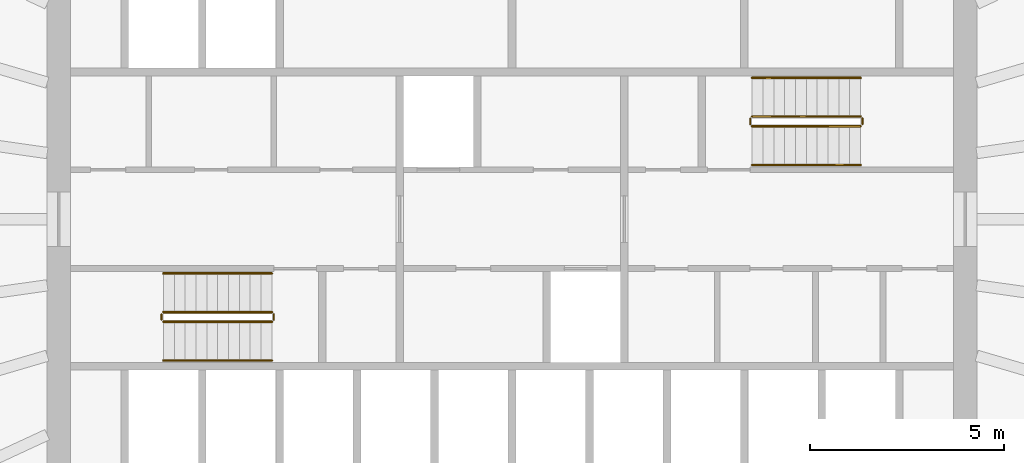
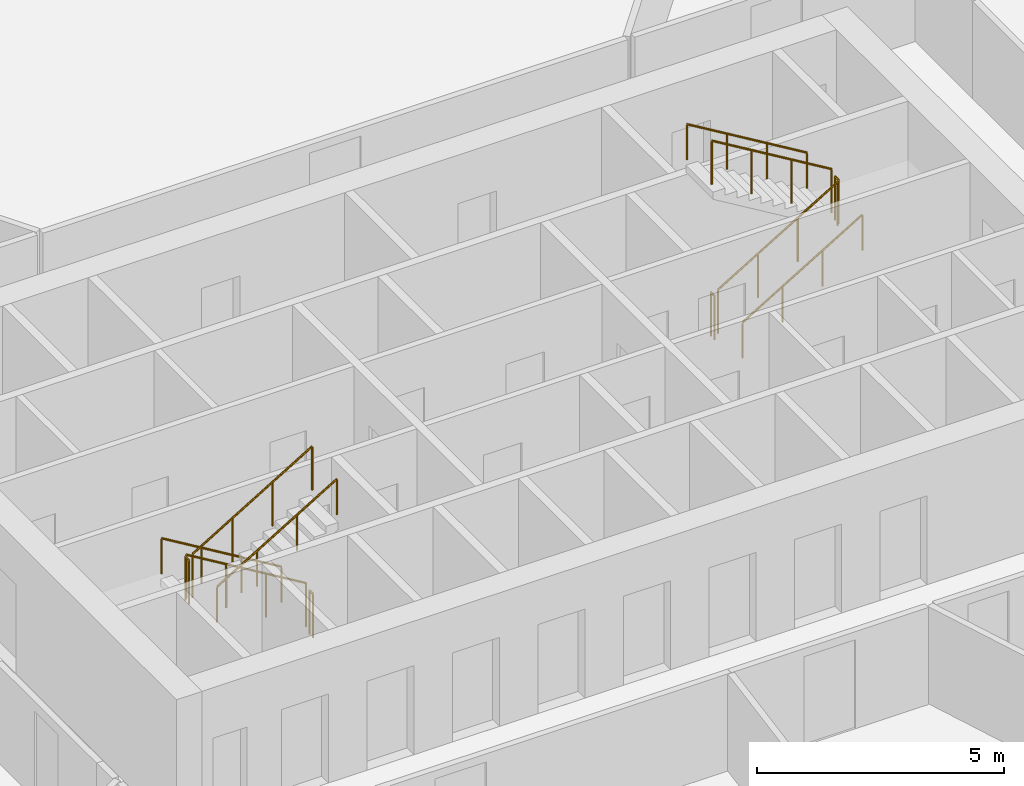
# One storey, part 11 of 11: 12 railings.
"""IFC4 building model written with IfcOpenShell, lengths in metres."""

from ifc_helpers import new_model, si_unit, direction, frame, origin, origin_2d, place, context, subcontext, project, spatial, circle, extrude, material, type_object, element, save


model = new_model("IFC4")

# Units and contexts
model_context = context("Model", 3, precision=1e-05, world=origin(), true_north=direction((0.0, 1.0)))
body_context = subcontext(model_context, "Body", "Model", "MODEL_VIEW")
ifc_project = project(units=[si_unit("LENGTHUNIT", "METRE"), si_unit("AREAUNIT", "SQUARE_METRE"), si_unit("VOLUMEUNIT", "CUBIC_METRE"), si_unit("PLANEANGLEUNIT", "RADIAN"), si_unit("MASSUNIT", "GRAM", prefix="KILO")], contexts=[model_context])

# Site, building, storey
site_placement = place(None, origin())
site = spatial("IfcSite", under=ifc_project, at=site_placement, CompositionType="ELEMENT")
building_placement = place(site_placement, origin())
building = spatial("IfcBuilding", under=site, at=building_placement, Name="Siaravel Broadcast Tower", CompositionType="ELEMENT")
storey_placement = place(building_placement, frame((0.0, 0.0, 74.10009765625)))
storey = spatial("IfcBuildingStorey", under=building, at=storey_placement, Name="L17", CompositionType="ELEMENT", Elevation=74.10009765625)

# Railings
ifc_material = material(Name="Stainless steel 316L", Category="steel")
railing_type_1 = type_object("IfcRailingType", Name="Stair guard 1100", PredefinedType="GUARDRAIL", material=ifc_material)
railing_1_placement = place(storey_placement, frame((-6.199951171875, -2.39990234375, 0.16796875)))
element("IfcRailing", 1, at=railing_1_placement, inside=storey, type_object=railing_type_1, Name="L17 ST-1 stair guard 1", PredefinedType="GUARDRAIL", context=body_context, shape_type="SweptSolid", body=[
    extrude(circle(Radius=0.02392578125, at=origin_2d()), frame((0.0, 0.0, 1.076171875), z_axis=(-0.857242211, 0.0, 0.514913383), x_axis=(0.0, -1.0, 0.0)), (0.0, 0.0, 1.0), 3.266357421875),
    extrude(circle(Radius=0.02099609375, at=origin_2d()), origin(), (0.0, 0.0, 1.0), 1.052001953125),
    extrude(circle(Radius=0.02099609375, at=origin_2d()), frame((-0.933349609375, 0.0, 0.560546875)), (0.0, 0.0, 1.0), 1.052001953125),
    extrude(circle(Radius=0.02099609375, at=origin_2d()), frame((-1.86669921875, 0.0, 1.121337890625)), (0.0, 0.0, 1.0), 1.052001953125),
    extrude(circle(Radius=0.02099609375, at=origin_2d()), frame((-2.800048828125, 0.0, 1.681884765625)), (0.0, 0.0, 1.0), 1.052001953125),
])
railing_2_placement = place(storey_placement, frame((-9.050048828125, -2.449951171875, 1.849853515625)))
element("IfcRailing", 2, at=railing_2_placement, inside=storey, type_object=railing_type_1, Name="L17 ST-1 stair guard 2", PredefinedType="GUARDRAIL", context=body_context, shape_type="SweptSolid", body=[
    extrude(circle(Radius=0.02392578125, at=origin_2d()), frame((0.0, 0.0, 1.076171875), z_axis=(0.0, -1.0, 0.0), x_axis=(1.0, 0.0, 0.0)), (0.0, 0.0, 1.0), 0.150146484375),
    extrude(circle(Radius=0.02099609375, at=origin_2d()), origin(), (0.0, 0.0, 1.0), 1.052001953125),
    extrude(circle(Radius=0.02099609375, at=origin_2d()), frame((0.0, -0.150146484375, 0.0)), (0.0, 0.0, 1.0), 1.052001953125),
])
railing_3_placement = place(storey_placement, frame((-9.0, -2.64990234375, 2.01806640625)))
element("IfcRailing", 3, at=railing_3_placement, inside=storey, type_object=railing_type_1, Name="L17 ST-1 stair guard 3", PredefinedType="GUARDRAIL", context=body_context, shape_type="SweptSolid", body=[
    extrude(circle(Radius=0.02392578125, at=origin_2d()), frame((0.0, 0.0, 1.076171875), z_axis=(0.857242211, 0.0, 0.514913383), x_axis=(0.0, 1.0, 0.0)), (0.0, 0.0, 1.0), 3.266357421875),
    extrude(circle(Radius=0.02099609375, at=origin_2d()), origin(), (0.0, 0.0, 1.0), 1.052001953125),
    extrude(circle(Radius=0.02099609375, at=origin_2d()), frame((0.933349609375, 0.0, 0.560546875)), (0.0, 0.0, 1.0), 1.052001953125),
    extrude(circle(Radius=0.02099609375, at=origin_2d()), frame((1.86669921875, 0.0, 1.121337890625)), (0.0, 0.0, 1.0), 1.052001953125),
    extrude(circle(Radius=0.02099609375, at=origin_2d()), frame((2.800048828125, 0.0, 1.681884765625)), (0.0, 0.0, 1.0), 1.052001953125),
])
railing_4_placement = place(storey_placement, frame((-6.14990234375, -2.449951171875, 0.0)))
element("IfcRailing", 4, at=railing_4_placement, inside=storey, type_object=railing_type_1, Name="L17 ST-1 stair guard 4", PredefinedType="GUARDRAIL", context=body_context, shape_type="SweptSolid", body=[
    extrude(circle(Radius=0.02392578125, at=origin_2d()), frame((0.0, 0.0, 1.076171875), z_axis=(0.0, -1.0, 0.0), x_axis=(1.0, 0.0, 0.0)), (0.0, 0.0, 1.0), 0.150146484375),
    extrude(circle(Radius=0.02099609375, at=origin_2d()), origin(), (0.0, 0.0, 1.0), 1.052001953125),
    extrude(circle(Radius=0.02099609375, at=origin_2d()), frame((0.0, -0.150146484375, 0.0)), (0.0, 0.0, 1.0), 1.052001953125),
])
railing_5_placement = place(storey_placement, frame((6.199951171875, 2.39990234375, 0.16796875)))
element("IfcRailing", 5, at=railing_5_placement, inside=storey, type_object=railing_type_1, Name="L17 ST-2 stair guard 1", PredefinedType="GUARDRAIL", context=body_context, shape_type="SweptSolid", body=[
    extrude(circle(Radius=0.02392578125, at=origin_2d()), frame((0.0, 0.0, 1.076171875), z_axis=(0.857242211, 0.0, 0.514913383), x_axis=(0.0, 1.0, 0.0)), (0.0, 0.0, 1.0), 3.266357421875),
    extrude(circle(Radius=0.02099609375, at=origin_2d()), origin(), (0.0, 0.0, 1.0), 1.052001953125),
    extrude(circle(Radius=0.02099609375, at=origin_2d()), frame((0.933349609375, 0.0, 0.560546875)), (0.0, 0.0, 1.0), 1.052001953125),
    extrude(circle(Radius=0.02099609375, at=origin_2d()), frame((1.86669921875, 0.0, 1.121337890625)), (0.0, 0.0, 1.0), 1.052001953125),
    extrude(circle(Radius=0.02099609375, at=origin_2d()), frame((2.800048828125, 0.0, 1.681884765625)), (0.0, 0.0, 1.0), 1.052001953125),
])
railing_6_placement = place(storey_placement, frame((9.050048828125, 2.449951171875, 1.849853515625)))
element("IfcRailing", 6, at=railing_6_placement, inside=storey, type_object=railing_type_1, Name="L17 ST-2 stair guard 2", PredefinedType="GUARDRAIL", context=body_context, shape_type="SweptSolid", body=[
    extrude(circle(Radius=0.02392578125, at=origin_2d()), frame((0.0, 0.0, 1.076171875), z_axis=(0.0, 1.0, 0.0), x_axis=(-1.0, 0.0, 0.0)), (0.0, 0.0, 1.0), 0.150146484375),
    extrude(circle(Radius=0.02099609375, at=origin_2d()), origin(), (0.0, 0.0, 1.0), 1.052001953125),
    extrude(circle(Radius=0.02099609375, at=origin_2d()), frame((0.0, 0.150146484375, 0.0)), (0.0, 0.0, 1.0), 1.052001953125),
])
railing_7_placement = place(storey_placement, frame((9.0, 2.64990234375, 2.01806640625)))
element("IfcRailing", 7, at=railing_7_placement, inside=storey, type_object=railing_type_1, Name="L17 ST-2 stair guard 3", PredefinedType="GUARDRAIL", context=body_context, shape_type="SweptSolid", body=[
    extrude(circle(Radius=0.02392578125, at=origin_2d()), frame((0.0, 0.0, 1.076171875), z_axis=(-0.857242211, 0.0, 0.514913383), x_axis=(0.0, -1.0, 0.0)), (0.0, 0.0, 1.0), 3.266357421875),
    extrude(circle(Radius=0.02099609375, at=origin_2d()), origin(), (0.0, 0.0, 1.0), 1.052001953125),
    extrude(circle(Radius=0.02099609375, at=origin_2d()), frame((-0.933349609375, 0.0, 0.560546875)), (0.0, 0.0, 1.0), 1.052001953125),
    extrude(circle(Radius=0.02099609375, at=origin_2d()), frame((-1.86669921875, 0.0, 1.121337890625)), (0.0, 0.0, 1.0), 1.052001953125),
    extrude(circle(Radius=0.02099609375, at=origin_2d()), frame((-2.800048828125, 0.0, 1.681884765625)), (0.0, 0.0, 1.0), 1.052001953125),
])
railing_8_placement = place(storey_placement, frame((6.14990234375, 2.449951171875, 0.0)))
element("IfcRailing", 8, at=railing_8_placement, inside=storey, type_object=railing_type_1, Name="L17 ST-2 stair guard 4", PredefinedType="GUARDRAIL", context=body_context, shape_type="SweptSolid", body=[
    extrude(circle(Radius=0.02392578125, at=origin_2d()), frame((0.0, 0.0, 1.076171875), z_axis=(0.0, 1.0, 0.0), x_axis=(-1.0, 0.0, 0.0)), (0.0, 0.0, 1.0), 0.150146484375),
    extrude(circle(Radius=0.02099609375, at=origin_2d()), origin(), (0.0, 0.0, 1.0), 1.052001953125),
    extrude(circle(Radius=0.02099609375, at=origin_2d()), frame((0.0, 0.150146484375, 0.0)), (0.0, 0.0, 1.0), 1.052001953125),
])
railing_type_2 = type_object("IfcRailingType", Name="Stair handrail 900", PredefinedType="HANDRAIL", material=ifc_material)
railing_9_placement = place(storey_placement, frame((-6.199951171875, -1.39990234375, 0.16796875)))
element("IfcRailing", 9, at=railing_9_placement, inside=storey, type_object=railing_type_2, Name="L17 ST-1 stair handrail 1", PredefinedType="HANDRAIL", context=body_context, shape_type="SweptSolid", body=[
    extrude(circle(Radius=0.02392578125, at=origin_2d()), frame((0.0, 0.0, 0.8759765625), z_axis=(-0.857242211, 0.0, 0.514913383), x_axis=(0.0, -1.0, 0.0)), (0.0, 0.0, 1.0), 3.266357421875),
    extrude(circle(Radius=0.02099609375, at=origin_2d()), origin(), (0.0, 0.0, 1.0), 0.851806640625),
    extrude(circle(Radius=0.02099609375, at=origin_2d()), frame((-0.933349609375, 0.0, 0.560546875)), (0.0, 0.0, 1.0), 0.851806640625),
    extrude(circle(Radius=0.02099609375, at=origin_2d()), frame((-1.86669921875, 0.0, 1.121337890625)), (0.0, 0.0, 1.0), 0.851806640625),
    extrude(circle(Radius=0.02099609375, at=origin_2d()), frame((-2.800048828125, 0.0, 1.681884765625)), (0.0, 0.0, 1.0), 0.851806640625),
])
for number, where, name in (
    (10, (-9.0, -3.64990234375, 2.01806640625), "L17 ST-1 stair handrail 2"),
    (11, (6.199951171875, 1.39990234375, 0.16796875), "L17 ST-2 stair handrail 1"),
):
    element("IfcRailing", number, at=place(storey_placement, frame(where)), inside=storey, type_object=railing_type_2, Name=name, PredefinedType="HANDRAIL", context=body_context, shape_type="SweptSolid", body=[
        extrude(circle(Radius=0.02392578125, at=origin_2d()), frame((0.0, 0.0, 0.8759765625), z_axis=(0.857242211, 0.0, 0.514913383), x_axis=(0.0, 1.0, 0.0)), (0.0, 0.0, 1.0), 3.266357421875),
        extrude(circle(Radius=0.02099609375, at=origin_2d()), origin(), (0.0, 0.0, 1.0), 0.851806640625),
        extrude(circle(Radius=0.02099609375, at=origin_2d()), frame((0.933349609375, 0.0, 0.560546875)), (0.0, 0.0, 1.0), 0.851806640625),
        extrude(circle(Radius=0.02099609375, at=origin_2d()), frame((1.86669921875, 0.0, 1.121337890625)), (0.0, 0.0, 1.0), 0.851806640625),
        extrude(circle(Radius=0.02099609375, at=origin_2d()), frame((2.800048828125, 0.0, 1.681884765625)), (0.0, 0.0, 1.0), 0.851806640625),
    ])
railing_10_placement = place(storey_placement, frame((9.0, 3.64990234375, 2.01806640625)))
element("IfcRailing", 12, at=railing_10_placement, inside=storey, type_object=railing_type_2, Name="L17 ST-2 stair handrail 2", PredefinedType="HANDRAIL", context=body_context, shape_type="SweptSolid", body=[
    extrude(circle(Radius=0.02392578125, at=origin_2d()), frame((0.0, 0.0, 0.8759765625), z_axis=(-0.857242211, 0.0, 0.514913383), x_axis=(0.0, -1.0, 0.0)), (0.0, 0.0, 1.0), 3.266357421875),
    extrude(circle(Radius=0.02099609375, at=origin_2d()), origin(), (0.0, 0.0, 1.0), 0.851806640625),
    extrude(circle(Radius=0.02099609375, at=origin_2d()), frame((-0.933349609375, 0.0, 0.560546875)), (0.0, 0.0, 1.0), 0.851806640625),
    extrude(circle(Radius=0.02099609375, at=origin_2d()), frame((-1.86669921875, 0.0, 1.121337890625)), (0.0, 0.0, 1.0), 0.851806640625),
    extrude(circle(Radius=0.02099609375, at=origin_2d()), frame((-2.800048828125, 0.0, 1.681884765625)), (0.0, 0.0, 1.0), 0.851806640625),
])

save(model, "model.ifc")
